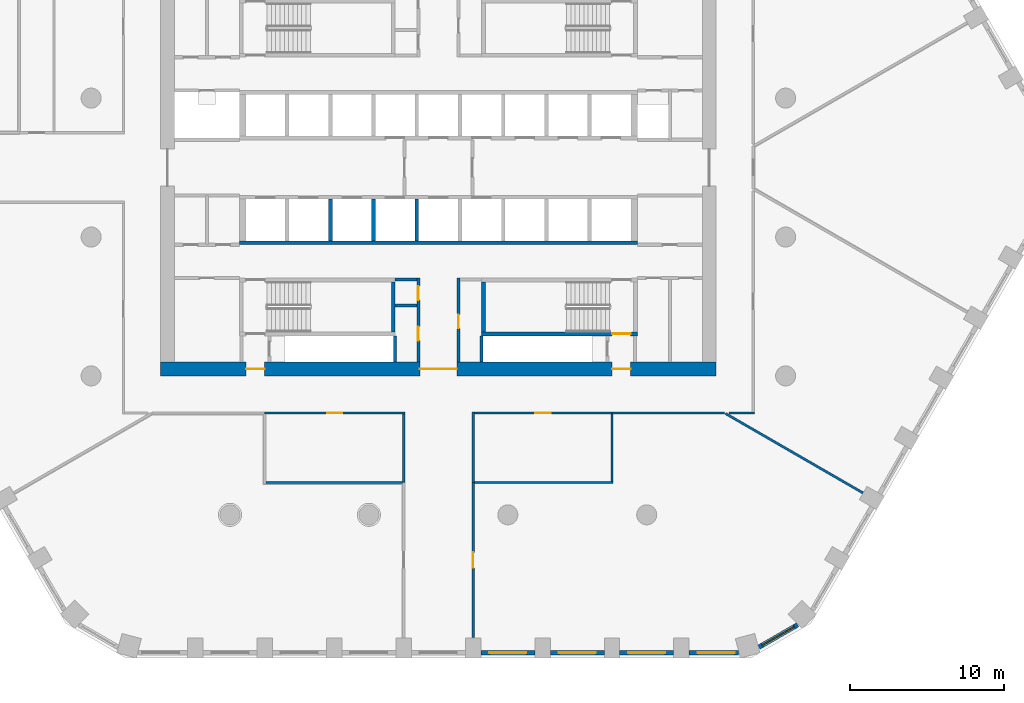
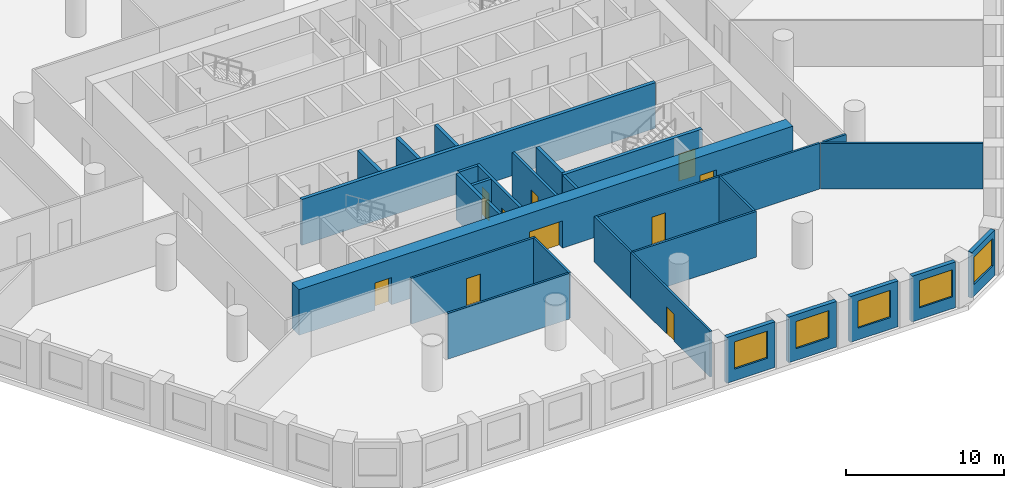
# One storey, part 3 of 14: 30 walls, 10 doors, 5 windows, 15 openings.
"""IFC4 building model written with IfcOpenShell, lengths in metres."""

from ifc_helpers import new_model, si_unit, direction, frame, frame_2d, origin, place, context, subcontext, project, spatial, polyline, rectangle, outline, extrude, material, layer, layer_set, type_object, element, fill, save


model = new_model("IFC4")

# Units and contexts
model_context = context("Model", 3, precision=1e-05, world=origin(), true_north=direction((0.0, 1.0)))
body_context = subcontext(model_context, "Body", "Model", "MODEL_VIEW")
ifc_project = project(units=[si_unit("LENGTHUNIT", "METRE"), si_unit("AREAUNIT", "SQUARE_METRE"), si_unit("VOLUMEUNIT", "CUBIC_METRE"), si_unit("PLANEANGLEUNIT", "RADIAN"), si_unit("MASSUNIT", "GRAM", prefix="KILO")], contexts=[model_context])

# Site, building, storey
site_placement = place(None, origin())
site = spatial("IfcSite", under=ifc_project, at=site_placement, CompositionType="ELEMENT")
building_placement = place(site_placement, origin())
building = spatial("IfcBuilding", under=site, at=building_placement, Name="Dhurran Vertical Campus", CompositionType="ELEMENT")
storey_placement = place(building_placement, frame((0.0, 0.0, 96.89990234375)))
storey = spatial("IfcBuildingStorey", under=building, at=storey_placement, Name="L23", CompositionType="ELEMENT", Elevation=96.89990234375)

# Wall, opening, window
ifc_material_1 = material(Name="Precast concrete C50/60", Category="concrete")
ifc_layer_1 = layer(ifc_material_1, 0.300048828125)
ifc_layer_set_1 = layer_set([ifc_layer_1], Name="Precast concrete C50/60")
wall_type_1 = type_object("IfcWallType", Name="Precast spandrel wall 300", PredefinedType="SOLIDWALL", material=ifc_layer_set_1)
wall_1_placement = place(storey_placement, frame((2.75048828125, -31.4296875, 0.0), z_axis=(0.0, 0.0, 1.0), x_axis=(1.0, 0.0, 0.0)))
wall_1 = element("IfcWall", 1, at=wall_1_placement, inside=storey, type_object=wall_type_1, Name="EW1 L23.05", PredefinedType="SOLIDWALL", context=body_context, shape_type="SweptSolid", body=[
    extrude(rectangle(XDim=3.4990234375, YDim=0.300048828125, at=frame_2d((1.74951171875, 0.0))), origin(), (0.0, 0.0, 1.0), 3.525146484375),
])
opening_1_placement = place(wall_1_placement, frame((0.549560546875, 0.0, 0.89990234375)))
opening_1 = element("IfcOpeningElement", 2, at=opening_1_placement, cuts=wall_1, Name="Opening WT1", PredefinedType="OPENING", context=body_context, shape_type="SweptSolid", body=[
    extrude(rectangle(XDim=2.39990234375, YDim=2.10009765625, at=frame_2d((1.199951171875, 1.050048828125))), frame((0.0, 0.159912109375, 0.0), z_axis=(0.0, -1.0, 0.0), x_axis=(1.0, 0.0, 0.0)), (0.0, 0.0, 1.0), 0.320068359375),
])
ifc_material_2 = material(Name="Aluminium frame with solar-control glass", Category="aluminium")
window_type = type_object("IfcWindowType", Name="Punched window 2400 x 2100", PartitioningType="SINGLE_PANEL", PredefinedType="WINDOW", material=ifc_material_2)
window_1_placement = place(opening_1_placement, origin())
window_1 = element("IfcWindow", 3, at=window_1_placement, inside=storey, type_object=window_type, Name="WT1 L23.05", OverallHeight=2.10009765625, OverallWidth=2.39990234375, PartitioningType="SINGLE_PANEL", PredefinedType="WINDOW", context=body_context, shape_type="SweptSolid", body=[
    extrude(rectangle(XDim=2.39990234375, YDim=2.10009765625, at=frame_2d((1.199951171875, 1.050048828125))), frame((0.0, 0.030029296875, 0.0), z_axis=(0.0, -1.0, 0.0), x_axis=(1.0, 0.0, 0.0)), (0.0, 0.0, 1.0), 0.06005859375),
])
fill(opening_1, window_1)

wall_2_placement = place(storey_placement, frame((7.25048828125, -31.4296875, 0.0), z_axis=(0.0, 0.0, 1.0), x_axis=(1.0, 0.0, 0.0)))
wall_2 = element("IfcWall", 4, at=wall_2_placement, inside=storey, type_object=wall_type_1, Name="EW1 L23.06", PredefinedType="SOLIDWALL", context=body_context, shape_type="SweptSolid", body=[
    extrude(rectangle(XDim=3.4990234375, YDim=0.300048828125, at=frame_2d((1.74951171875, 0.0))), origin(), (0.0, 0.0, 1.0), 3.525146484375),
])
opening_2_placement = place(wall_2_placement, frame((0.549560546875, 0.0, 0.89990234375)))
opening_2 = element("IfcOpeningElement", 5, at=opening_2_placement, cuts=wall_2, Name="Opening WT1", PredefinedType="OPENING", context=body_context, shape_type="SweptSolid", body=[
    extrude(rectangle(XDim=2.39990234375, YDim=2.10009765625, at=frame_2d((1.199951171875, 1.050048828125))), frame((0.0, 0.159912109375, 0.0), z_axis=(0.0, -1.0, 0.0), x_axis=(1.0, 0.0, 0.0)), (0.0, 0.0, 1.0), 0.320068359375),
])
window_2_placement = place(opening_2_placement, origin())
window_2 = element("IfcWindow", 6, at=window_2_placement, inside=storey, type_object=window_type, Name="WT1 L23.06", OverallHeight=2.10009765625, OverallWidth=2.39990234375, PartitioningType="SINGLE_PANEL", PredefinedType="WINDOW", context=body_context, shape_type="SweptSolid", body=[
    extrude(rectangle(XDim=2.39990234375, YDim=2.10009765625, at=frame_2d((1.199951171875, 1.050048828125))), frame((0.0, 0.030029296875, 0.0), z_axis=(0.0, -1.0, 0.0), x_axis=(1.0, 0.0, 0.0)), (0.0, 0.0, 1.0), 0.06005859375),
])
fill(opening_2, window_2)

wall_3_placement = place(storey_placement, frame((11.75048828125, -31.4296875, 0.0), z_axis=(0.0, 0.0, 1.0), x_axis=(1.0, 0.0, 0.0)))
wall_3 = element("IfcWall", 7, at=wall_3_placement, inside=storey, type_object=wall_type_1, Name="EW1 L23.07", PredefinedType="SOLIDWALL", context=body_context, shape_type="SweptSolid", body=[
    extrude(rectangle(XDim=3.4990234375, YDim=0.300048828125, at=frame_2d((1.74951171875, 0.0))), origin(), (0.0, 0.0, 1.0), 3.525146484375),
])
opening_3_placement = place(wall_3_placement, frame((0.549560546875, 0.0, 0.89990234375)))
opening_3 = element("IfcOpeningElement", 8, at=opening_3_placement, cuts=wall_3, Name="Opening WT1", PredefinedType="OPENING", context=body_context, shape_type="SweptSolid", body=[
    extrude(rectangle(XDim=2.39990234375, YDim=2.10009765625, at=frame_2d((1.199951171875, 1.050048828125))), frame((0.0, 0.159912109375, 0.0), z_axis=(0.0, -1.0, 0.0), x_axis=(1.0, 0.0, 0.0)), (0.0, 0.0, 1.0), 0.320068359375),
])
window_3_placement = place(opening_3_placement, origin())
window_3 = element("IfcWindow", 9, at=window_3_placement, inside=storey, type_object=window_type, Name="WT1 L23.07", OverallHeight=2.10009765625, OverallWidth=2.39990234375, PartitioningType="SINGLE_PANEL", PredefinedType="WINDOW", context=body_context, shape_type="SweptSolid", body=[
    extrude(rectangle(XDim=2.39990234375, YDim=2.10009765625, at=frame_2d((1.199951171875, 1.050048828125))), frame((0.0, 0.030029296875, 0.0), z_axis=(0.0, -1.0, 0.0), x_axis=(1.0, 0.0, 0.0)), (0.0, 0.0, 1.0), 0.06005859375),
])
fill(opening_3, window_3)

wall_4_placement = place(storey_placement, frame((16.25048828125, -31.4296875, 0.0), z_axis=(0.0, 0.0, 1.0), x_axis=(1.0, 0.0, 0.0)))
wall_4 = element("IfcWall", 10, at=wall_4_placement, inside=storey, type_object=wall_type_1, Name="EW1 L23.08", PredefinedType="SOLIDWALL", context=body_context, shape_type="SweptSolid", body=[
    extrude(rectangle(XDim=3.1923828125, YDim=0.300048828125, at=frame_2d((1.59619140625, 0.0))), origin(), (0.0, 0.0, 1.0), 3.525146484375),
])
opening_4_placement = place(wall_4_placement, frame((0.549560546875, 0.0, 0.89990234375)))
opening_4 = element("IfcOpeningElement", 11, at=opening_4_placement, cuts=wall_4, Name="Opening WT1", PredefinedType="OPENING", context=body_context, shape_type="SweptSolid", body=[
    extrude(rectangle(XDim=2.39990234375, YDim=2.10009765625, at=frame_2d((1.199951171875, 1.050048828125))), frame((0.0, 0.159912109375, 0.0), z_axis=(0.0, -1.0, 0.0), x_axis=(1.0, 0.0, 0.0)), (0.0, 0.0, 1.0), 0.320068359375),
])
window_4_placement = place(opening_4_placement, origin())
window_4 = element("IfcWindow", 12, at=window_4_placement, inside=storey, type_object=window_type, Name="WT1 L23.08", OverallHeight=2.10009765625, OverallWidth=2.39990234375, PartitioningType="SINGLE_PANEL", PredefinedType="WINDOW", context=body_context, shape_type="SweptSolid", body=[
    extrude(rectangle(XDim=2.39990234375, YDim=2.10009765625, at=frame_2d((1.199951171875, 1.050048828125))), frame((0.0, 0.030029296875, 0.0), z_axis=(0.0, -1.0, 0.0), x_axis=(1.0, 0.0, 0.0)), (0.0, 0.0, 1.0), 0.06005859375),
])
fill(opening_4, window_4)

wall_5_placement = place(storey_placement, frame((20.774169921875, -31.072998046875, 0.0), z_axis=(0.0, 0.0, 1.0), x_axis=(0.866053149362, 0.49995194017, 0.0)))
wall_5 = element("IfcWall", 13, at=wall_5_placement, inside=storey, type_object=wall_type_1, Name="EW1 L23.09", PredefinedType="SOLIDWALL", context=body_context, shape_type="SweptSolid", body=[
    extrude(rectangle(XDim=2.885498046875, YDim=0.300048828125, at=frame_2d((1.44287109375, 0.0))), origin(), (0.0, 0.0, 1.0), 3.525146484375),
])
opening_5_placement = place(wall_5_placement, frame((0.242919921875, 0.0, 0.89990234375)))
opening_5 = element("IfcOpeningElement", 14, at=opening_5_placement, cuts=wall_5, Name="Opening WT1", PredefinedType="OPENING", context=body_context, shape_type="SweptSolid", body=[
    extrude(rectangle(XDim=2.39990234375, YDim=2.10009765625, at=frame_2d((1.199951171875, 1.050048828125))), frame((0.0, 0.159912109375, 0.0), z_axis=(0.0, -1.0, 0.0), x_axis=(1.0, 0.0, 0.0)), (0.0, 0.0, 1.0), 0.320068359375),
])
window_5_placement = place(opening_5_placement, origin())
window_5 = element("IfcWindow", 15, at=window_5_placement, inside=storey, type_object=window_type, Name="WT1 L23.09", OverallHeight=2.10009765625, OverallWidth=2.39990234375, PartitioningType="SINGLE_PANEL", PredefinedType="WINDOW", context=body_context, shape_type="SweptSolid", body=[
    extrude(rectangle(XDim=2.39990234375, YDim=2.10009765625, at=frame_2d((1.199951171875, 1.050048828125))), frame((0.0, 0.030029296875, 0.0), z_axis=(0.0, -1.0, 0.0), x_axis=(1.0, 0.0, 0.0)), (0.0, 0.0, 1.0), 0.06005859375),
])
fill(opening_5, window_5)

# Wall, openings, doors
ifc_material_3 = material(Name="Concrete C60/75", Category="concrete")
ifc_layer_2 = layer(ifc_material_3, 0.89990234375)
ifc_layer_set_2 = layer_set([ifc_layer_2], Name="Concrete C60/75")
wall_type_2 = type_object("IfcWallType", Name="co-CORE-WALL-C0-900", PredefinedType="SHEAR", material=ifc_layer_set_2)
wall_6_placement = place(storey_placement, frame((-18.0, -13.050048828125, 0.0), z_axis=(0.0, 0.0, 1.0), x_axis=(1.0, 0.0, 0.0)))
wall_6 = element("IfcWall", 16, at=wall_6_placement, inside=storey, type_object=wall_type_2, Name="Core wall S L23", PredefinedType="SHEAR", context=body_context, shape_type="SweptSolid", body=[
    extrude(rectangle(XDim=36.0, YDim=0.89990234375, at=frame_2d((18.0, 0.0))), origin(), (0.0, 0.0, 1.0), 3.525146484375),
])
opening_6_placement = place(wall_6_placement, frame((16.800048828125, 0.0, 0.0)))
opening_6 = element("IfcOpeningElement", 17, at=opening_6_placement, cuts=wall_6, Name="Opening CV2", PredefinedType="OPENING", context=body_context, shape_type="SweptSolid", body=[
    extrude(rectangle(XDim=2.39990234375, YDim=2.10009765625, at=frame_2d((1.199951171875, 1.050048828125))), frame((0.0, 0.4599609375, 0.0), z_axis=(0.0, -1.0, 0.0), x_axis=(1.0, 0.0, 0.0)), (0.0, 0.0, 1.0), 0.919921875),
])
opening_7_placement = place(wall_6_placement, frame((5.550048828125, 0.0, 0.0)))
opening_7 = element("IfcOpeningElement", 18, at=opening_7_placement, cuts=wall_6, Name="Opening XD3", PredefinedType="OPENING", context=body_context, shape_type="SweptSolid", body=[
    extrude(rectangle(XDim=1.199951171875, YDim=2.10009765625, at=frame_2d((0.60009765625, 1.050048828125))), frame((0.0, 0.4599609375, 0.0), z_axis=(0.0, -1.0, 0.0), x_axis=(1.0, 0.0, 0.0)), (0.0, 0.0, 1.0), 0.919921875),
])
opening_8_placement = place(wall_6_placement, frame((29.25, 0.0, 0.0)))
opening_8 = element("IfcOpeningElement", 19, at=opening_8_placement, cuts=wall_6, Name="Opening XD4", PredefinedType="OPENING", context=body_context, shape_type="SweptSolid", body=[
    extrude(rectangle(XDim=1.199951171875, YDim=2.10009765625, at=frame_2d((0.60009765625, 1.050048828125))), frame((0.0, 0.4599609375, 0.0), z_axis=(0.0, -1.0, 0.0), x_axis=(1.0, 0.0, 0.0)), (0.0, 0.0, 1.0), 0.919921875),
])
ifc_material_4 = material(Name="Fire-rated glazed door set")
door_type_1 = type_object("IfcDoorType", Name="co-D-LOBBY 2400x2100", OperationType="DOUBLE_DOOR_DOUBLE_SWING", PredefinedType="DOOR", material=ifc_material_4)
door_1_placement = place(opening_6_placement, origin())
door_1 = element("IfcDoor", 20, at=door_1_placement, inside=storey, type_object=door_type_1, Name="Core vestibule door S L23", OperationType="DOUBLE_DOOR_DOUBLE_SWING", OverallHeight=2.10009765625, OverallWidth=2.39990234375, PredefinedType="DOOR", context=body_context, shape_type="SweptSolid", body=[
    extrude(rectangle(XDim=2.39990234375, YDim=2.10009765625, at=frame_2d((1.199951171875, 1.050048828125))), frame((0.0, 0.02490234375, 0.0), z_axis=(0.0, -1.0, 0.0), x_axis=(1.0, 0.0, 0.0)), (0.0, 0.0, 1.0), 0.050048828125),
])
fill(opening_6, door_1)
ifc_material_5 = material(Name="Fire-rated steel door set", Category="steel")
door_type_2 = type_object("IfcDoorType", Name="co-D-STAIR-EXIT 1200x2100", OperationType="SINGLE_SWING_RIGHT", PredefinedType="DOOR", material=ifc_material_5)
door_2_placement = place(opening_7_placement, origin())
door_2 = element("IfcDoor", 21, at=door_2_placement, inside=storey, type_object=door_type_2, Name="Stair ST3 exit door L23", OperationType="SINGLE_SWING_RIGHT", OverallHeight=2.10009765625, OverallWidth=1.199951171875, PredefinedType="DOOR", context=body_context, shape_type="SweptSolid", body=[
    extrude(rectangle(XDim=1.199951171875, YDim=2.10009765625, at=frame_2d((0.60009765625, 1.050048828125))), frame((0.0, 0.02490234375, 0.0), z_axis=(0.0, -1.0, 0.0), x_axis=(1.0, 0.0, 0.0)), (0.0, 0.0, 1.0), 0.050048828125),
])
fill(opening_7, door_2)
door_3_placement = place(opening_8_placement, origin())
door_3 = element("IfcDoor", 22, at=door_3_placement, inside=storey, type_object=door_type_2, Name="Stair ST4 exit door L23", OperationType="SINGLE_SWING_RIGHT", OverallHeight=2.10009765625, OverallWidth=1.199951171875, PredefinedType="DOOR", context=body_context, shape_type="SweptSolid", body=[
    extrude(rectangle(XDim=1.199951171875, YDim=2.10009765625, at=frame_2d((0.60009765625, 1.050048828125))), frame((0.0, 0.02490234375, 0.0), z_axis=(0.0, -1.0, 0.0), x_axis=(1.0, 0.0, 0.0)), (0.0, 0.0, 1.0), 0.050048828125),
])
fill(opening_8, door_3)

# Walls
ifc_material_6 = material(Name="Fire-rated masonry blockwork", Category="masonry")
ifc_layer_3 = layer(ifc_material_6, 0.199951171875)
ifc_layer_set_3 = layer_set([ifc_layer_3], Name="Fire-rated masonry blockwork")
wall_type_3 = type_object("IfcWallType", Name="co-FIRE-PARTITION-200", PredefinedType="PARTITIONING", material=ifc_layer_set_3)
for number, where, z_axis, x_axis, name in (
    (23, (-2.800048828125, -7.25, 0.0), (0.0, 0.0, 1.0), (1.0, 0.0, 0.0), "Core partition sl-SW-S L23"),
    (24, (-2.800048828125, -8.925048828125, 0.0), (0.0, 0.0, 1.0), (1.0, 0.0, 0.0), "Core partition sl-SW-cut0 L23"),
):
    element("IfcWall", number, at=place(storey_placement, frame(where, z_axis=z_axis, x_axis=x_axis)), inside=storey, type_object=wall_type_3, Name=name, PredefinedType="PARTITIONING", context=body_context, shape_type="SweptSolid", body=[
        extrude(rectangle(XDim=1.400146484375, YDim=0.199951171875, at=frame_2d((0.7001953125, 0.0))), origin(), (0.0, 0.0, 1.0), 3.525146484375),
    ])

# Wall, openings, doors
wall_7_placement = place(storey_placement, frame((-1.300048828125, -12.60009765625, 0.0), z_axis=(0.0, 0.0, 1.0), x_axis=(0.0, 1.0, 0.0)))
wall_7 = element("IfcWall", 25, at=wall_7_placement, inside=storey, type_object=wall_type_3, Name="Core partition vest-SW L23", PredefinedType="PARTITIONING", context=body_context, shape_type="SweptSolid", body=[
    extrude(rectangle(XDim=5.4501953125, YDim=0.199951171875, at=frame_2d((2.72509765625, 0.0))), origin(), (0.0, 0.0, 1.0), 3.525146484375),
])
opening_9_placement = place(wall_7_placement, frame((1.387451171875, 0.0, 0.0)))
opening_9 = element("IfcOpeningElement", 26, at=opening_9_placement, cuts=wall_7, Name="Opening T06-C1", PredefinedType="OPENING", context=body_context, shape_type="SweptSolid", body=[
    extrude(rectangle(XDim=0.89990234375, YDim=2.10009765625, at=frame_2d((0.449951171875, 1.050048828125))), frame((0.0, 0.10986328125, 0.0), z_axis=(0.0, -1.0, 0.0), x_axis=(1.0, 0.0, 0.0)), (0.0, 0.0, 1.0), 0.219970703125),
])
opening_10_placement = place(wall_7_placement, frame((4.012451171875, 0.0, 0.0)))
opening_10 = element("IfcOpeningElement", 27, at=opening_10_placement, cuts=wall_7, Name="Opening T06-C2", PredefinedType="OPENING", context=body_context, shape_type="SweptSolid", body=[
    extrude(rectangle(XDim=0.89990234375, YDim=2.10009765625, at=frame_2d((0.449951171875, 1.050048828125))), frame((0.0, 0.10986328125, 0.0), z_axis=(0.0, -1.0, 0.0), x_axis=(1.0, 0.0, 0.0)), (0.0, 0.0, 1.0), 0.219970703125),
])
ifc_material_7 = material(Name="Fire-rated timber door set", Category="wood")
door_type_3 = type_object("IfcDoorType", Name="co-D-ROOM 900x2100", OperationType="SINGLE_SWING_LEFT", PredefinedType="DOOR", material=ifc_material_7)
door_4_placement = place(opening_9_placement, origin())
door_4 = element("IfcDoor", 28, at=door_4_placement, inside=storey, type_object=door_type_3, Name="Print room door L23", OperationType="SINGLE_SWING_LEFT", OverallHeight=2.10009765625, OverallWidth=0.89990234375, PredefinedType="DOOR", context=body_context, shape_type="SweptSolid", body=[
    extrude(rectangle(XDim=0.89990234375, YDim=2.10009765625, at=frame_2d((0.449951171875, 1.050048828125))), frame((0.0, 0.02490234375, 0.0), z_axis=(0.0, -1.0, 0.0), x_axis=(1.0, 0.0, 0.0)), (0.0, 0.0, 1.0), 0.050048828125),
])
fill(opening_9, door_4)
door_5_placement = place(opening_10_placement, origin())
door_5 = element("IfcDoor", 29, at=door_5_placement, inside=storey, type_object=door_type_3, Name="Cleaner's store door L23", OperationType="SINGLE_SWING_LEFT", OverallHeight=2.10009765625, OverallWidth=0.89990234375, PredefinedType="DOOR", context=body_context, shape_type="SweptSolid", body=[
    extrude(rectangle(XDim=0.89990234375, YDim=2.10009765625, at=frame_2d((0.449951171875, 1.050048828125))), frame((0.0, 0.02490234375, 0.0), z_axis=(0.0, -1.0, 0.0), x_axis=(1.0, 0.0, 0.0)), (0.0, 0.0, 1.0), 0.050048828125),
])
fill(opening_10, door_5)

# Wall, opening, door
wall_8_placement = place(storey_placement, frame((1.300048828125, -12.60009765625, 0.0), z_axis=(0.0, 0.0, 1.0), x_axis=(0.0, 1.0, 0.0)))
wall_8 = element("IfcWall", 30, at=wall_8_placement, inside=storey, type_object=wall_type_3, Name="Core partition vest-SE L23", PredefinedType="PARTITIONING", context=body_context, shape_type="SweptSolid", body=[
    extrude(rectangle(XDim=5.4501953125, YDim=0.199951171875, at=frame_2d((2.72509765625, 0.0))), origin(), (0.0, 0.0, 1.0), 3.525146484375),
])
opening_11_placement = place(wall_8_placement, frame((2.175048828125, 0.0, 0.0)))
opening_11 = element("IfcOpeningElement", 31, at=opening_11_placement, cuts=wall_8, Name="Opening T06-C3", PredefinedType="OPENING", context=body_context, shape_type="SweptSolid", body=[
    extrude(rectangle(XDim=0.89990234375, YDim=2.10009765625, at=frame_2d((0.449951171875, 1.050048828125))), frame((0.0, 0.10986328125, 0.0), z_axis=(0.0, -1.0, 0.0), x_axis=(1.0, 0.0, 0.0)), (0.0, 0.0, 1.0), 0.219970703125),
])
door_6_placement = place(opening_11_placement, origin())
door_6 = element("IfcDoor", 32, at=door_6_placement, inside=storey, type_object=door_type_3, Name="Fire equipment store door L23", OperationType="SINGLE_SWING_LEFT", OverallHeight=2.10009765625, OverallWidth=0.89990234375, PredefinedType="DOOR", context=body_context, shape_type="SweptSolid", body=[
    extrude(rectangle(XDim=0.89990234375, YDim=2.10009765625, at=frame_2d((0.449951171875, 1.050048828125))), frame((0.0, 0.02490234375, 0.0), z_axis=(0.0, -1.0, 0.0), x_axis=(1.0, 0.0, 0.0)), (0.0, 0.0, 1.0), 0.050048828125),
])
fill(opening_11, door_6)

# Walls
for number, where, z_axis, x_axis, name in (
    (33, (-2.800048828125, -12.59912109375, 0.0), (0.0, 0.0, 1.0), (0.0, 1.0, 0.0), "Riser enclosure wall L23"),
    (34, (2.800048828125, -10.90087890625, 0.0), (0.0, 0.0, 1.0), (0.0, -1.0, 0.0), "Riser enclosure wall L23"),
):
    element("IfcWall", number, at=place(storey_placement, frame(where, z_axis=z_axis, x_axis=x_axis)), inside=storey, type_object=wall_type_3, Name=name, PredefinedType="PARTITIONING", context=body_context, shape_type="SweptSolid", body=[
        extrude(rectangle(XDim=1.6982421875, YDim=0.199951171875, at=frame_2d((0.84912109375, 0.0))), origin(), (0.0, 0.0, 1.0), 3.525146484375),
    ])
ifc_material_8 = material(Name="Concrete C50/60", Category="concrete")
ifc_layer_4 = layer(ifc_material_8, 0.25)
ifc_layer_set_4 = layer_set([ifc_layer_4], Name="Concrete C50/60")
wall_type_4 = type_object("IfcWallType", Name="co-SHAFT-MASS-250", PredefinedType="SHEAR", material=ifc_layer_set_4)
wall_9_placement = place(storey_placement, origin())
element("IfcWall", 35, at=wall_9_placement, inside=storey, type_object=wall_type_4, Name="Lift shaft wall S L23 1", PredefinedType="SHEAR", context=body_context, shape_type="SweptSolid", body=[
    extrude(outline(polyline([(-12.89990234375, -5.0), (12.89990234375, -5.0), (12.89990234375, -4.75), (-12.89990234375, -4.75), (-12.89990234375, -5.0)])), origin(), (0.0, 0.0, 1.0), 3.525146484375),
])
wall_10_placement = place(storey_placement, origin())
element("IfcWall", 36, at=wall_10_placement, inside=storey, type_object=wall_type_4, Name="Lift shaft wall S L23 4", PredefinedType="SHEAR", context=body_context, shape_type="SweptSolid", body=[
    extrude(outline(polyline([(-7.125, -4.75), (-6.875, -4.75), (-6.875, -2.050048828125), (-7.125, -2.050048828125), (-7.125, -4.75)])), origin(), (0.0, 0.0, 1.0), 3.525146484375),
])
wall_11_placement = place(storey_placement, origin())
element("IfcWall", 37, at=wall_11_placement, inside=storey, type_object=wall_type_4, Name="Lift shaft wall S L23 5", PredefinedType="SHEAR", context=body_context, shape_type="SweptSolid", body=[
    extrude(outline(polyline([(-4.324951171875, -4.75), (-4.074951171875, -4.75), (-4.074951171875, -2.050048828125), (-4.324951171875, -2.050048828125), (-4.324951171875, -4.75)])), origin(), (0.0, 0.0, 1.0), 3.525146484375),
])
wall_12_placement = place(storey_placement, origin())
element("IfcWall", 38, at=wall_12_placement, inside=storey, type_object=wall_type_4, Name="Lift shaft wall S L23 6", PredefinedType="SHEAR", context=body_context, shape_type="SweptSolid", body=[
    extrude(outline(polyline([(-1.52490234375, -4.75), (-1.27490234375, -4.75), (-1.27490234375, -2.050048828125), (-1.52490234375, -2.050048828125), (-1.52490234375, -4.75)])), origin(), (0.0, 0.0, 1.0), 3.525146484375),
])
ifc_material_9 = material(Name="Concrete C40/50", Category="concrete")
ifc_layer_5 = layer(ifc_material_9, 0.25)
ifc_layer_set_5 = layer_set([ifc_layer_5], Name="Concrete C40/50")
wall_type_5 = type_object("IfcWallType", Name="co-STAIR-WALL-250", PredefinedType="SHEAR", material=ifc_layer_set_5)
wall_13_placement = place(storey_placement, frame((-2.925048828125, -10.64990234375, 0.0), z_axis=(0.0, 0.0, 1.0), x_axis=(0.0, 1.0, 0.0)))
element("IfcWall", 39, at=wall_13_placement, inside=storey, type_object=wall_type_5, Name="Stair ST3 enclosure wall L23", PredefinedType="SHEAR", context=body_context, shape_type="SweptSolid", body=[
    extrude(rectangle(XDim=3.25, YDim=0.25, at=frame_2d((1.625, 0.0))), origin(), (0.0, 0.0, 1.0), 3.525146484375),
])

# Wall, opening, door
wall_14_placement = place(storey_placement, frame((2.800048828125, -10.77490234375, 0.0), z_axis=(0.0, 0.0, 1.0), x_axis=(1.0, 0.0, 0.0)))
wall_14 = element("IfcWall", 40, at=wall_14_placement, inside=storey, type_object=wall_type_5, Name="Stair ST4 enclosure wall L23", PredefinedType="SHEAR", context=body_context, shape_type="SweptSolid", body=[
    extrude(rectangle(XDim=10.099853515625, YDim=0.25, at=frame_2d((5.0498046875, 0.0))), origin(), (0.0, 0.0, 1.0), 3.525146484375),
])
opening_12_placement = place(wall_14_placement, frame((8.449951171875, 0.0, 0.0)))
opening_12 = element("IfcOpeningElement", 41, at=opening_12_placement, cuts=wall_14, Name="Opening XS4", PredefinedType="OPENING", context=body_context, shape_type="SweptSolid", body=[
    extrude(rectangle(XDim=1.199951171875, YDim=2.10009765625, at=frame_2d((0.60009765625, 1.050048828125))), frame((0.0, 0.135009765625, 0.0), z_axis=(0.0, -1.0, 0.0), x_axis=(1.0, 0.0, 0.0)), (0.0, 0.0, 1.0), 0.27001953125),
])
door_7_placement = place(opening_12_placement, origin())
door_7 = element("IfcDoor", 42, at=door_7_placement, inside=storey, type_object=door_type_2, Name="Stair ST4 discharge door L23", OperationType="SINGLE_SWING_RIGHT", OverallHeight=2.10009765625, OverallWidth=1.199951171875, PredefinedType="DOOR", context=body_context, shape_type="SweptSolid", body=[
    extrude(rectangle(XDim=1.199951171875, YDim=2.10009765625, at=frame_2d((0.60009765625, 1.050048828125))), frame((0.0, 0.02490234375, 0.0), z_axis=(0.0, -1.0, 0.0), x_axis=(1.0, 0.0, 0.0)), (0.0, 0.0, 1.0), 0.050048828125),
])
fill(opening_12, door_7)

# Wall
wall_15_placement = place(storey_placement, frame((2.925048828125, -10.64990234375, 0.0), z_axis=(0.0, 0.0, 1.0), x_axis=(0.0, 1.0, 0.0)))
element("IfcWall", 43, at=wall_15_placement, inside=storey, type_object=wall_type_5, Name="Stair ST4 enclosure wall L23", PredefinedType="SHEAR", context=body_context, shape_type="SweptSolid", body=[
    extrude(rectangle(XDim=3.25, YDim=0.25, at=frame_2d((1.625, 0.0))), origin(), (0.0, 0.0, 1.0), 3.525146484375),
])

# Wall, opening, door
ifc_material_10 = material(Name="Gypsum board corridor wall on steel studs", Category="steel")
ifc_layer_6 = layer(ifc_material_10, 0.14990234375)
ifc_layer_set_6 = layer_set([ifc_layer_6], Name="Gypsum board corridor wall on steel studs")
wall_type_6 = type_object("IfcWallType", Name="fl-CW-150 corridor wall", PredefinedType="PARTITIONING", material=ifc_layer_set_6)
wall_16_placement = place(storey_placement, frame((-11.25, -15.89990234375, 0.0), z_axis=(0.0, 0.0, 1.0), x_axis=(1.0, 0.0, 0.0)))
wall_16 = element("IfcWall", 44, at=wall_16_placement, inside=storey, type_object=wall_type_6, Name="Partition 23-20", PredefinedType="PARTITIONING", context=body_context, shape_type="SweptSolid", body=[
    extrude(rectangle(XDim=9.074951171875, YDim=0.14990234375, at=frame_2d((4.53759765625, 0.0))), origin(), (0.0, 0.0, 1.0), 3.525146484375),
])
opening_13_placement = place(wall_16_placement, frame((4.03759765625, 0.0, 0.0)))
opening_13 = element("IfcOpeningElement", 45, at=opening_13_placement, cuts=wall_16, Name="Opening T06.08", PredefinedType="OPENING", context=body_context, shape_type="SweptSolid", body=[
    extrude(rectangle(XDim=1.0, YDim=2.10009765625, at=frame_2d((0.5, 1.050048828125))), frame((0.0, 0.0849609375, 0.0), z_axis=(0.0, -1.0, 0.0), x_axis=(1.0, 0.0, 0.0)), (0.0, 0.0, 1.0), 0.169921875),
])
ifc_material_11 = material(Name="Solid-core timber door set, fire-rated", Category="wood")
door_type_4 = type_object("IfcDoorType", Name="fl-D-1000x2100", OperationType="SINGLE_SWING_LEFT", PredefinedType="DOOR", material=ifc_material_11)
door_8_placement = place(opening_13_placement, origin())
door_8 = element("IfcDoor", 46, at=door_8_placement, inside=storey, type_object=door_type_4, Name="Door 23.08", OperationType="SINGLE_SWING_RIGHT", OverallHeight=2.10009765625, OverallWidth=1.0, PredefinedType="DOOR", context=body_context, shape_type="SweptSolid", body=[
    extrude(rectangle(XDim=1.0, YDim=2.10009765625, at=frame_2d((0.5, 1.050048828125))), frame((0.0, 0.02490234375, 0.0), z_axis=(0.0, -1.0, 0.0), x_axis=(1.0, 0.0, 0.0)), (0.0, 0.0, 1.0), 0.050048828125),
])
fill(opening_13, door_8)

# Wall
wall_17_placement = place(storey_placement, frame((-2.25, -20.39990234375, 0.0), z_axis=(0.0, 0.0, 1.0), x_axis=(0.0, 1.0, 0.0)))
element("IfcWall", 47, at=wall_17_placement, inside=storey, type_object=wall_type_6, Name="Partition 23-25", PredefinedType="PARTITIONING", context=body_context, shape_type="SweptSolid", body=[
    extrude(rectangle(XDim=4.4248046875, YDim=0.14990234375, at=frame_2d((2.21240234375, 0.0))), origin(), (0.0, 0.0, 1.0), 3.525146484375),
])

# Wall, opening, door
wall_18_placement = place(storey_placement, frame((2.25, -20.39990234375, 0.0), z_axis=(0.0, 0.0, 1.0), x_axis=(0.0, -1.0, 0.0)))
wall_18 = element("IfcWall", 48, at=wall_18_placement, inside=storey, type_object=wall_type_6, Name="Partition 23-28", PredefinedType="PARTITIONING", context=body_context, shape_type="SweptSolid", body=[
    extrude(rectangle(XDim=10.059814453125, YDim=0.14990234375, at=frame_2d((5.02978515625, 0.0))), origin(), (0.0, 0.0, 1.0), 3.525146484375),
])
opening_14_placement = place(wall_18_placement, frame((4.52978515625, 0.0, 0.0)))
opening_14 = element("IfcOpeningElement", 49, at=opening_14_placement, cuts=wall_18, Name="Opening T06.13", PredefinedType="OPENING", context=body_context, shape_type="SweptSolid", body=[
    extrude(rectangle(XDim=1.0, YDim=2.10009765625, at=frame_2d((0.5, 1.050048828125))), frame((0.0, 0.0849609375, 0.0), z_axis=(0.0, -1.0, 0.0), x_axis=(1.0, 0.0, 0.0)), (0.0, 0.0, 1.0), 0.169921875),
])
door_9_placement = place(opening_14_placement, origin())
door_9 = element("IfcDoor", 50, at=door_9_placement, inside=storey, type_object=door_type_4, Name="Door 23.13", OperationType="SINGLE_SWING_RIGHT", OverallHeight=2.10009765625, OverallWidth=1.0, PredefinedType="DOOR", context=body_context, shape_type="SweptSolid", body=[
    extrude(rectangle(XDim=1.0, YDim=2.10009765625, at=frame_2d((0.5, 1.050048828125))), frame((0.0, 0.02490234375, 0.0), z_axis=(0.0, -1.0, 0.0), x_axis=(1.0, 0.0, 0.0)), (0.0, 0.0, 1.0), 0.050048828125),
])
fill(opening_14, door_9)

# Wall
wall_19_placement = place(storey_placement, frame((2.25, -15.824951171875, 0.0), z_axis=(0.0, 0.0, 1.0), x_axis=(0.0, -1.0, 0.0)))
element("IfcWall", 51, at=wall_19_placement, inside=storey, type_object=wall_type_6, Name="Partition 23-29", PredefinedType="PARTITIONING", context=body_context, shape_type="SweptSolid", body=[
    extrude(rectangle(XDim=4.574951171875, YDim=0.14990234375, at=frame_2d((2.28759765625, 0.0))), origin(), (0.0, 0.0, 1.0), 3.525146484375),
])

# Wall, opening, door
wall_20_placement = place(storey_placement, frame((2.324951171875, -15.89990234375, 0.0), z_axis=(0.0, 0.0, 1.0), x_axis=(1.0, 0.0, 0.0)))
wall_20 = element("IfcWall", 52, at=wall_20_placement, inside=storey, type_object=wall_type_6, Name="Partition 23-31", PredefinedType="PARTITIONING", context=body_context, shape_type="SweptSolid", body=[
    extrude(rectangle(XDim=8.925048828125, YDim=0.14990234375, at=frame_2d((4.46240234375, 0.0))), origin(), (0.0, 0.0, 1.0), 3.525146484375),
])
opening_15_placement = place(wall_20_placement, frame((3.96240234375, 0.0, 0.0)))
opening_15 = element("IfcOpeningElement", 53, at=opening_15_placement, cuts=wall_20, Name="Opening T06.11", PredefinedType="OPENING", context=body_context, shape_type="SweptSolid", body=[
    extrude(rectangle(XDim=1.0, YDim=2.10009765625, at=frame_2d((0.5, 1.050048828125))), frame((0.0, 0.0849609375, 0.0), z_axis=(0.0, -1.0, 0.0), x_axis=(1.0, 0.0, 0.0)), (0.0, 0.0, 1.0), 0.169921875),
])
door_10_placement = place(opening_15_placement, origin())
door_10 = element("IfcDoor", 54, at=door_10_placement, inside=storey, type_object=door_type_4, Name="Door 23.11", OperationType="SINGLE_SWING_RIGHT", OverallHeight=2.10009765625, OverallWidth=1.0, PredefinedType="DOOR", context=body_context, shape_type="SweptSolid", body=[
    extrude(rectangle(XDim=1.0, YDim=2.10009765625, at=frame_2d((0.5, 1.050048828125))), frame((0.0, 0.02490234375, 0.0), z_axis=(0.0, -1.0, 0.0), x_axis=(1.0, 0.0, 0.0)), (0.0, 0.0, 1.0), 0.050048828125),
])
fill(opening_15, door_10)

# Walls
wall_21_placement = place(storey_placement, frame((11.25, -15.89990234375, 0.0), z_axis=(0.0, 0.0, 1.0), x_axis=(1.0, 0.0, 0.0)))
element("IfcWall", 55, at=wall_21_placement, inside=storey, type_object=wall_type_6, Name="Partition 23-41", PredefinedType="PARTITIONING", context=body_context, shape_type="SweptSolid", body=[
    extrude(rectangle(XDim=7.2900390625, YDim=0.14990234375, at=frame_2d((3.64501953125, 0.0))), origin(), (0.0, 0.0, 1.0), 3.525146484375),
])
wall_22_placement = place(storey_placement, frame((18.81494140625, -15.89990234375, 0.0), z_axis=(0.0, 0.0, 1.0), x_axis=(1.0, 0.0, 0.0)))
element("IfcWall", 56, at=wall_22_placement, inside=storey, type_object=wall_type_6, Name="Partition 23-42", PredefinedType="PARTITIONING", context=body_context, shape_type="SweptSolid", body=[
    extrude(rectangle(XDim=1.66015625, YDim=0.14990234375, at=frame_2d((0.830078125, 0.0))), origin(), (0.0, 0.0, 1.0), 3.525146484375),
])
ifc_material_12 = material(Name="Gypsum board partition on steel studs", Category="steel")
ifc_layer_7 = layer(ifc_material_12, 0.14990234375)
ifc_layer_set_7 = layer_set([ifc_layer_7], Name="Gypsum board partition on steel studs")
wall_type_7 = type_object("IfcWallType", Name="fl-PW-150 fixed partition", PredefinedType="PARTITIONING", material=ifc_layer_set_7)
wall_23_placement = place(storey_placement, frame((-11.175048828125, -20.39990234375, 0.0), z_axis=(0.0, 0.0, 1.0), x_axis=(1.0, 0.0, 0.0)))
element("IfcWall", 57, at=wall_23_placement, inside=storey, type_object=wall_type_7, Name="Partition 23-19", PredefinedType="PARTITIONING", context=body_context, shape_type="SweptSolid", body=[
    extrude(rectangle(XDim=8.85009765625, YDim=0.14990234375, at=frame_2d((4.425048828125, 0.0))), origin(), (0.0, 0.0, 1.0), 3.525146484375),
])
wall_24_placement = place(storey_placement, frame((11.324951171875, -20.39990234375, 0.0), z_axis=(0.0, 0.0, 1.0), x_axis=(-1.0, 0.0, 0.0)))
element("IfcWall", 58, at=wall_24_placement, inside=storey, type_object=wall_type_7, Name="Partition 23-30", PredefinedType="PARTITIONING", context=body_context, shape_type="SweptSolid", body=[
    extrude(rectangle(XDim=9.0, YDim=0.14990234375, at=frame_2d((4.5, 0.0))), origin(), (0.0, 0.0, 1.0), 3.525146484375),
])
wall_25_placement = place(storey_placement, frame((11.25, -15.97509765625, 0.0), z_axis=(0.0, 0.0, 1.0), x_axis=(0.0, -1.0, 0.0)))
element("IfcWall", 59, at=wall_25_placement, inside=storey, type_object=wall_type_7, Name="Partition 23-40", PredefinedType="PARTITIONING", context=body_context, shape_type="SweptSolid", body=[
    extrude(rectangle(XDim=4.349853515625, YDim=0.14990234375, at=frame_2d((2.1748046875, 0.0))), origin(), (0.0, 0.0, 1.0), 3.525146484375),
])
wall_26_placement = place(storey_placement, frame((18.60498046875, -15.9375, 0.0), z_axis=(0.0, 0.0, 1.0), x_axis=(0.8659928916, -0.500056308527, 0.0)))
element("IfcWall", 60, at=wall_26_placement, inside=storey, type_object=wall_type_7, Name="Partition 23-43", PredefinedType="PARTITIONING", context=body_context, shape_type="SweptSolid", body=[
    extrude(rectangle(XDim=10.275634765625, YDim=0.14990234375, at=frame_2d((5.1376953125, 0.0))), origin(), (0.0, 0.0, 1.0), 3.525146484375),
])

save(model, "model.ifc")
